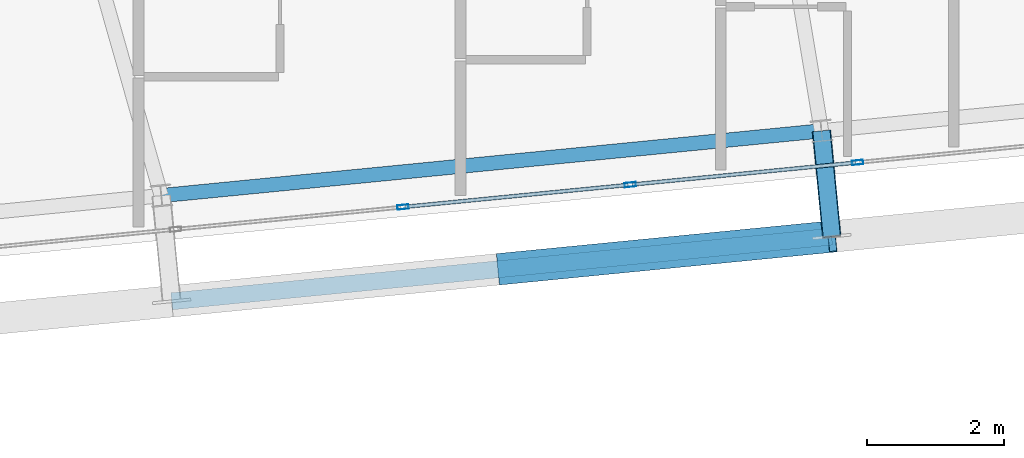
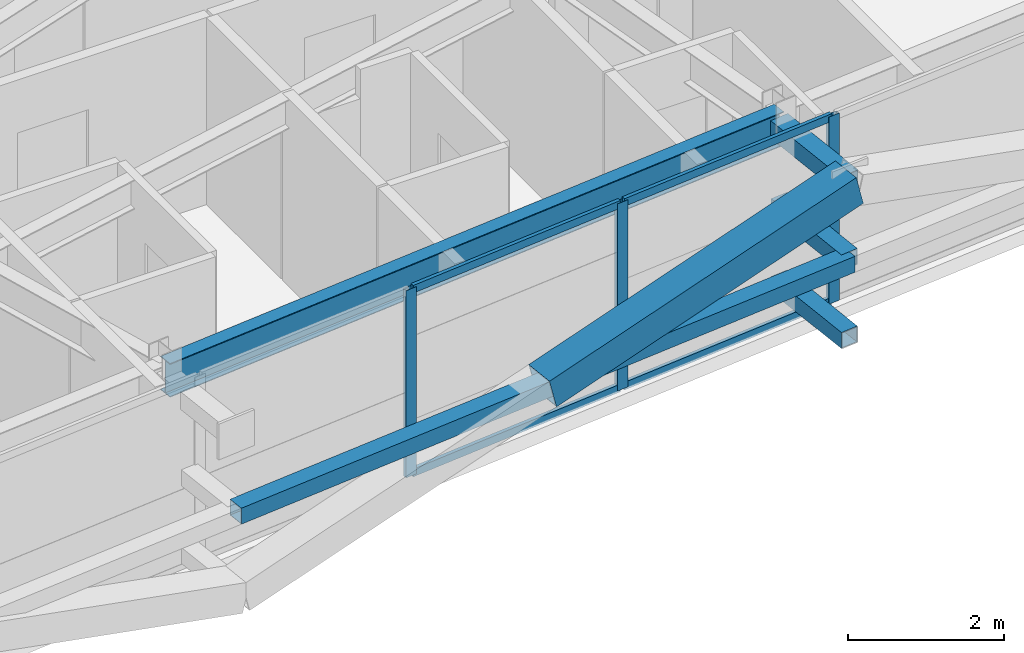
# One storey, part 18 of 54: 12 members, 1 beam, 1 element without a shape of its own.
"""IFC4 building model written with IfcOpenShell, lengths in metres."""

from ifc_helpers import new_model, si_unit, direction, frame, origin, origin_2d, place, context, subcontext, project, spatial, hollow_rectangle, i_section, extrude, source, transform, mapped, material, layer, layer_set, material_profile, profile_set, type_object, element, aggregate, save


model = new_model("IFC4")

# Units and contexts
model_context = context("Model", 3, precision=1e-05, world=origin(), true_north=direction((0.0, 1.0)))
body_context = subcontext(model_context, "Body", "Model", "MODEL_VIEW")
ifc_project = project(units=[si_unit("LENGTHUNIT", "METRE"), si_unit("AREAUNIT", "SQUARE_METRE"), si_unit("VOLUMEUNIT", "CUBIC_METRE"), si_unit("PLANEANGLEUNIT", "RADIAN"), si_unit("MASSUNIT", "GRAM", prefix="KILO")], contexts=[model_context])

# Site, building, storey
site_placement = place(None, origin())
site = spatial("IfcSite", under=ifc_project, at=site_placement, CompositionType="ELEMENT")
building_placement = place(site_placement, origin())
building = spatial("IfcBuilding", under=site, at=building_placement, Name="Taldren Reach Tower", CompositionType="ELEMENT")
storey_placement = place(building_placement, frame((0.0, 0.0, 102.89990234375)))
storey = spatial("IfcBuildingStorey", under=building, at=storey_placement, Name="L31", CompositionType="ELEMENT", Elevation=102.89990234375)

# Members
ifc_material_1 = material(Name="Steel Gr 450 (C450L0)", Category="steel")
ifc_material_profile_1 = material_profile(ifc_material_1, hollow_rectangle(XDim=0.27490234375, YDim=0.27490234375, WallThickness=0.00927734375, at=origin_2d()), Name="275x275x9.3SHS")
ifc_profile_set_1 = profile_set([ifc_material_profile_1], Name="Steel Gr 450 (C450L0)")
member_type_1 = type_object("IfcMemberType", Name="MB-TIE273", PredefinedType="STRUT", material=ifc_profile_set_1)
shared_shape_1 = source(origin(), body_context, "Body", "SweptSolid", [
    extrude(hollow_rectangle(XDim=0.27490234375, YDim=0.27490234375, WallThickness=0.00927734375, at=origin_2d()), origin(), (0.0, 0.0, 1.0), 1.5498046875),
])
member_1_placement = place(storey_placement, frame((53.469482421875, 3.698486328125, 2.650146484375), z_axis=(0.097507178627, -0.995234821595, 0.0), x_axis=(0.995234821595, 0.097507178627, 0.0)))
element("IfcMember", 1, at=member_1_placement, inside=storey, type_object=member_type_1, Name="Exoskeleton diaphragm tie strut B2-S5 L31", PredefinedType="STRUT", context=body_context, shape_type="MappedRepresentation", body=[
    mapped(shared_shape_1, transform((0.0, 0.0, 0.0), scale=1.0)),
])
ifc_material_2 = material(Name="Steel Gr 350 (C350L0)", Category="steel")
ifc_material_profile_2 = material_profile(ifc_material_2, hollow_rectangle(XDim=0.25, YDim=0.25, WallThickness=0.010009765625, at=origin_2d()), Name="250x250x10.0SHS")
ifc_profile_set_2 = profile_set([ifc_material_profile_2], Name="Steel Gr 350 (C350L0)")
member_type_2 = type_object("IfcMemberType", Name="MB-POST250", PredefinedType="POST", material=ifc_profile_set_2)
shared_shape_2 = source(origin(), body_context, "Body", "SweptSolid", [
    extrude(hollow_rectangle(XDim=0.25, YDim=0.25, WallThickness=0.010009765625, at=origin_2d()), origin(), (0.0, 0.0, 1.0), 1.5498046875),
])
for number, where, z_axis, x_axis, name in (
    (2, (53.469482421875, 3.698486328125, 0.22021484375), (0.097507178627, -0.995234821595, 0.0), (0.995234821595, 0.097507178627, 0.0), "Exoskeleton base diaphragm tie strut B2-S5 L31"),
    (3, (53.469482421875, 3.698486328125, 1.43505859375), (0.097507178627, -0.995234821595, 0.0), (0.995234821595, 0.097507178627, 0.0), "Exoskeleton mid-tier diaphragm tie B2-S5 L31"),
):
    element("IfcMember", number, at=place(storey_placement, frame(where, z_axis=z_axis, x_axis=x_axis)), inside=storey, type_object=member_type_2, Name=name, PredefinedType="POST", context=body_context, shape_type="MappedRepresentation", body=[
        mapped(shared_shape_2, transform((0.0, 0.0, 0.0), scale=1.0)),
    ])

# Beam
ifc_material_3 = material(Name="Steel Gr 350 (350PLUS)", Category="steel")
ifc_material_profile_3 = material_profile(ifc_material_3, i_section(OverallWidth=0.208984375, OverallDepth=0.528076171875, WebThickness=0.009521484375, FlangeThickness=0.01318359375, at=origin_2d()), Name="530UB82.0")
ifc_profile_set_3 = profile_set([ifc_material_profile_3], Name="Steel Gr 350 (350PLUS)")
beam_type = type_object("IfcBeamType", Name="SP-UB530B", PredefinedType="SPANDREL", material=ifc_profile_set_3)
shared_shape_3 = source(origin(), body_context, "Body", "SweptSolid", [
    extrude(i_section(OverallWidth=0.208984375, OverallDepth=0.528076171875, WebThickness=0.009521484375, FlangeThickness=0.01318359375, at=origin_2d()), origin(), (0.0, 0.0, 1.0), 9.68017578125),
])
beam_placement = place(storey_placement, frame((43.83544921875, 2.75390625, 2.666015625), z_axis=(0.995227852805, 0.097578281404, 0.0), x_axis=(-0.097578281404, 0.995227852805, 0.0)))
element("IfcBeam", 4, at=beam_placement, inside=storey, type_object=beam_type, Name="Perimeter spandrel B2 S4-S5 L31", PredefinedType="SPANDREL", context=body_context, shape_type="MappedRepresentation", body=[
    mapped(shared_shape_3, transform((0.0, 0.0, 0.0), scale=1.0)),
])

# Members
ifc_material_profile_4 = material_profile(ifc_material_1, hollow_rectangle(XDim=0.4599609375, YDim=0.4599609375, WallThickness=0.01611328125, at=origin_2d()), Name="460x460x16.0SHS")
ifc_profile_set_4 = profile_set([ifc_material_profile_4], Name="Steel Gr 450 (C450L0)")
member_type_3 = type_object("IfcMemberType", Name="MB-EXO457", PredefinedType="BRACE", material=ifc_profile_set_4)
shared_shape_4 = source(origin(), body_context, "Body", "SweptSolid", [
    extrude(hollow_rectangle(XDim=0.4599609375, YDim=0.4599609375, WallThickness=0.01611328125, at=origin_2d()), origin(), (0.0, 0.0, 1.0), 4.990234375),
])
member_2_placement = place(storey_placement, frame((48.8037109375, 1.68359375, 1.43505859375), z_axis=(0.965271056716, 0.094667992638, 0.243494883389), x_axis=(-0.097605711627, 0.995225162995, 0.0)))
element("IfcMember", 5, at=member_2_placement, inside=storey, type_object=member_type_3, Name="Exoskeleton Diagrid Brace B2-S4 L31", PredefinedType="BRACE", context=body_context, shape_type="MappedRepresentation", body=[
    mapped(shared_shape_4, transform((0.0, 0.0, 0.0), scale=1.0)),
])
shared_shape_5 = source(origin(), body_context, "Body", "SweptSolid", [
    extrude(hollow_rectangle(XDim=0.25, YDim=0.25, WallThickness=0.010009765625, at=origin_2d()), origin(), (0.0, 0.0, 1.0), 9.679931640625),
])
member_3_placement = place(storey_placement, frame((43.98681640625, 1.21142578125, 1.43505859375), z_axis=(0.995227612658, 0.097580730699, 0.0), x_axis=(-0.097580730699, 0.995227612658, 0.0)))
element("IfcMember", 6, at=member_3_placement, inside=storey, type_object=member_type_2, Name="Exoskeleton mid-height ring chord B2-S4 L31", PredefinedType="POST", context=body_context, shape_type="MappedRepresentation", body=[
    mapped(shared_shape_5, transform((0.0, 0.0, 0.0), scale=1.0)),
])

# Curtain wall, members
ifc_material_4 = material(Name="Aluminium and Low-E Glass Unitised System", Category="aluminium")
ifc_layer = layer(ifc_material_4, 0.159912109375)
ifc_layer_set = layer_set([ifc_layer], Name="Aluminium and Low-E Glass Unitised System")
curtain_wall_type = type_object("IfcCurtainWallType", Name="CW-SYS-3", PredefinedType="NOTDEFINED", material=ifc_layer_set)
curtain_wall_placement = place(storey_placement, origin())
curtain_wall = element("IfcCurtainWall", 7, at=curtain_wall_placement, inside=storey, type_object=curtain_wall_type, Name="Unitised curtain wall CW-L31-S", PredefinedType="NOTDEFINED")
ifc_material_5 = material(Name="Anodised Aluminium 6063-T6", Category="aluminium")
ifc_material_profile_5 = material_profile(ifc_material_5, hollow_rectangle(XDim=0.06494140625, YDim=0.1650390625, WallThickness=0.00390625, at=origin_2d()), Name="ALU-165x65x4RHS")
ifc_profile_set_5 = profile_set([ifc_material_profile_5], Name="Anodised Aluminium 6063-T6")
member_type_4 = type_object("IfcMemberType", Name="CW-MUL-165", PredefinedType="MULLION", material=ifc_profile_set_5)
shared_shape_6 = source(origin(), body_context, "Body", "SweptSolid", [
    extrude(hollow_rectangle(XDim=0.06494140625, YDim=0.1650390625, WallThickness=0.00390625, at=origin_2d()), origin(), (0.0, 0.0, 1.0), 2.93017578125),
])
member_4_placement = place(storey_placement, frame((47.362060546875, 2.587158203125, 0.0), z_axis=(0.0, 0.0, 1.0), x_axis=(-0.097582999046, 0.995227390247, 0.0)))
member_4 = element("IfcMember", 8, at=member_4_placement, type_object=member_type_4, Name="CW-3 mullion 11", PredefinedType="MULLION", context=body_context, shape_type="MappedRepresentation", body=[
    mapped(shared_shape_6, transform((0.0, 0.0, 0.0), scale=1.0)),
])
member_5_placement = place(storey_placement, frame((50.679443359375, 2.91259765625, 0.0), z_axis=(0.0, 0.0, 1.0), x_axis=(-0.097582999046, 0.995227390247, 0.0)))
member_5 = element("IfcMember", 9, at=member_5_placement, type_object=member_type_4, Name="CW-3 mullion 12", PredefinedType="MULLION", context=body_context, shape_type="MappedRepresentation", body=[
    mapped(shared_shape_6, transform((0.0, 0.0, 0.0), scale=1.0)),
])
member_6_placement = place(storey_placement, frame((53.996826171875, 3.23779296875, 0.0), z_axis=(0.0, 0.0, 1.0), x_axis=(-0.097582999046, 0.995227390247, 0.0)))
member_6 = element("IfcMember", 10, at=member_6_placement, type_object=member_type_4, Name="CW-3 mullion 13", PredefinedType="MULLION", context=body_context, shape_type="MappedRepresentation", body=[
    mapped(shared_shape_6, transform((0.0, 0.0, 0.0), scale=1.0)),
])
ifc_material_profile_6 = material_profile(ifc_material_5, hollow_rectangle(XDim=0.054931640625, YDim=0.1201171875, WallThickness=0.0029296875, at=origin_2d()), Name="ALU-120x55x3RHS")
ifc_profile_set_6 = profile_set([ifc_material_profile_6], Name="Anodised Aluminium 6063-T6")
member_type_5 = type_object("IfcMemberType", Name="CW-TRN-135", PredefinedType="USERDEFINED", material=ifc_profile_set_6)
shared_shape_7 = source(origin(), body_context, "Body", "SweptSolid", [
    extrude(hollow_rectangle(XDim=0.054931640625, YDim=0.1201171875, WallThickness=0.0029296875, at=origin_2d()), origin(), (0.0, 0.0, 1.0), 3.268310546875),
])
member_7_placement = place(storey_placement, frame((47.394287109375, 2.59033203125, 0.027587890625), z_axis=(0.995222549564, 0.097632355496, 0.0), x_axis=(-0.097632355496, 0.995222549564, 0.0)))
member_7 = element("IfcMember", 11, at=member_7_placement, type_object=member_type_5, Name="CW-3 transom 11.1", ObjectType="TRANSOM", PredefinedType="USERDEFINED", context=body_context, shape_type="MappedRepresentation", body=[
    mapped(shared_shape_7, transform((0.0, 0.0, 0.0), scale=1.0)),
])
member_8_placement = place(storey_placement, frame((47.394287109375, 2.59033203125, 2.902587890625), z_axis=(0.995222549564, 0.097632355496, 0.0), x_axis=(-0.097632355496, 0.995222549564, 0.0)))
member_8 = element("IfcMember", 12, at=member_8_placement, type_object=member_type_5, Name="CW-3 transom 11.2", ObjectType="TRANSOM", PredefinedType="USERDEFINED", context=body_context, shape_type="MappedRepresentation", body=[
    mapped(shared_shape_7, transform((0.0, 0.0, 0.0), scale=1.0)),
])
shared_shape_8 = source(origin(), body_context, "Body", "SweptSolid", [
    extrude(hollow_rectangle(XDim=0.054931640625, YDim=0.1201171875, WallThickness=0.0029296875, at=origin_2d()), origin(), (0.0, 0.0, 1.0), 3.2685546875),
])
member_9_placement = place(storey_placement, frame((50.711669921875, 2.915771484375, 0.027587890625), z_axis=(0.99523051601, 0.097551114824, 0.0), x_axis=(-0.097551114824, 0.99523051601, 0.0)))
member_9 = element("IfcMember", 13, at=member_9_placement, type_object=member_type_5, Name="CW-3 transom 12.1", ObjectType="TRANSOM", PredefinedType="USERDEFINED", context=body_context, shape_type="MappedRepresentation", body=[
    mapped(shared_shape_8, transform((0.0, 0.0, 0.0), scale=1.0)),
])
member_10_placement = place(storey_placement, frame((50.711669921875, 2.915771484375, 2.902587890625), z_axis=(0.99523051601, 0.097551114824, 0.0), x_axis=(-0.097551114824, 0.99523051601, 0.0)))
member_10 = element("IfcMember", 14, at=member_10_placement, type_object=member_type_5, Name="CW-3 transom 12.2", ObjectType="TRANSOM", PredefinedType="USERDEFINED", context=body_context, shape_type="MappedRepresentation", body=[
    mapped(shared_shape_8, transform((0.0, 0.0, 0.0), scale=1.0)),
])
aggregate(curtain_wall, [member_4, member_5, member_6, member_7, member_8, member_9, member_10])

save(model, "model.ifc")
